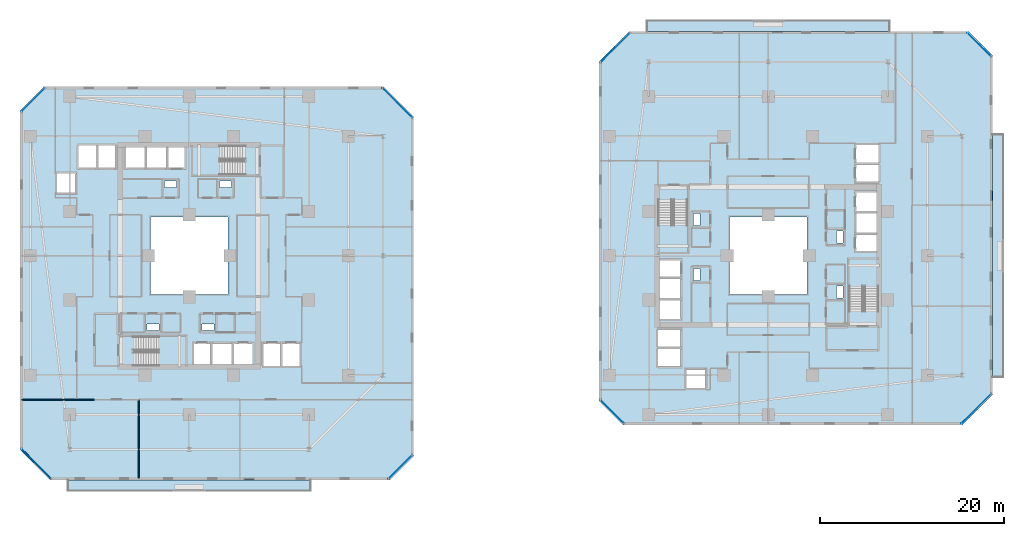
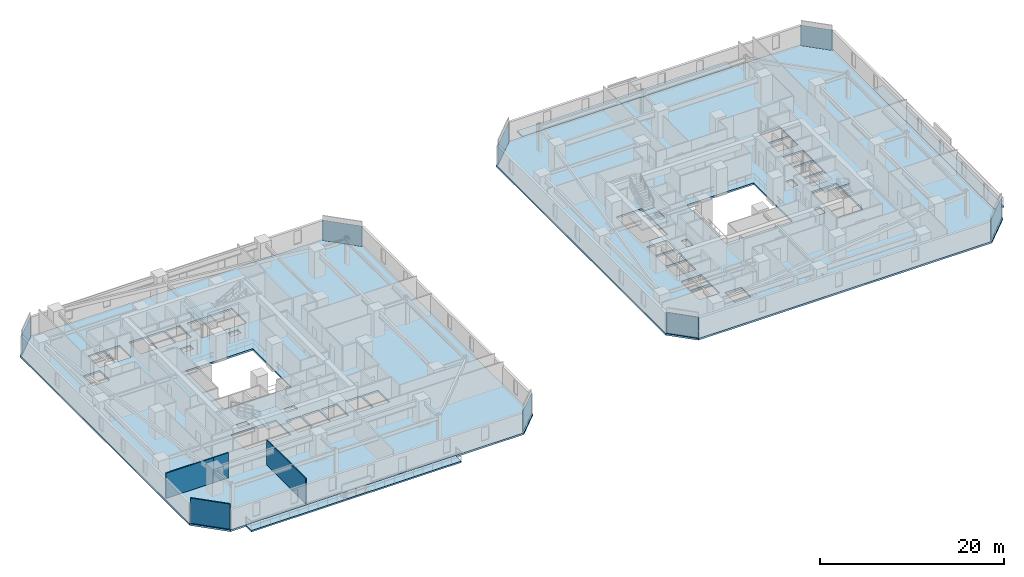
# One storey, part 19 of 34: 9 slabs, 8 plates, 4 walls, 12 elements without a shape of their own.
"""IFC4 building model written with IfcOpenShell, lengths in metres."""

from ifc_helpers import new_model, si_unit, direction, frame, frame_2d, origin, origin_2d, place, context, subcontext, project, spatial, polyline, rectangle, outline, extrude, material, layer, layer_set, type_object, element, aggregate, save


model = new_model("IFC4")

# Units and contexts
model_context = context("Model", 3, precision=1e-05, world=origin(), true_north=direction((0.0, 1.0)))
body_context = subcontext(model_context, "Body", "Model", "MODEL_VIEW")
ifc_project = project(units=[si_unit("LENGTHUNIT", "METRE"), si_unit("AREAUNIT", "SQUARE_METRE"), si_unit("VOLUMEUNIT", "CUBIC_METRE"), si_unit("PLANEANGLEUNIT", "RADIAN"), si_unit("MASSUNIT", "GRAM", prefix="KILO")], contexts=[model_context])

# Site, building, storey
site_placement = place(None, origin())
site = spatial("IfcSite", under=ifc_project, at=site_placement, CompositionType="ELEMENT")
building_placement = place(site_placement, origin())
building = spatial("IfcBuilding", under=site, at=building_placement, Name="Thornwick Lancets Civic Towers", CompositionType="ELEMENT")
storey_placement = place(building_placement, frame((0.0, 0.0, 60.89990234375)))
storey = spatial("IfcBuildingStorey", under=building, at=storey_placement, Name="L15", CompositionType="ELEMENT", Elevation=60.89990234375)

# Curtain wall, plate
ifc_material_1 = material(Name="Low-zone chamfered-corner unitised glass curtain wall", Category="glass")
curtain_wall_type = type_object("IfcCurtainWallType", Name="CW_SYS_03", PredefinedType="NOTDEFINED", material=ifc_material_1)
curtain_wall_1_placement = place(storey_placement, origin())
curtain_wall_1 = element("IfcCurtainWall", 1, at=curtain_wall_1_placement, inside=storey, type_object=curtain_wall_type, Name="L15 Curtain Wall CW-L15-A-E1", PredefinedType="NOTDEFINED")
ifc_material_2 = material(Name="Low-e double glazing clear glass", Category="glass")
ifc_layer_1 = layer(ifc_material_2, 0.035888671875, Name="Low-e double glazing clear glass")
ifc_layer_set_1 = layer_set([ifc_layer_1], Name="Low-e double glazing clear glass")
plate_type = type_object("IfcPlateType", Name="CW_PNL_GLASS", PredefinedType="CURTAIN_PANEL", material=ifc_layer_set_1)
plate_1_placement = place(storey_placement, frame((48.472900390625, 4.027099609375, 0.0), z_axis=(0.0, 0.0, 1.0), x_axis=(0.707106781187, 0.707106781187, 0.0)))
plate_1 = element("IfcPlate", 2, at=plate_1_placement, type_object=plate_type, Name="CW-L15-A-E1 Panel 0", PredefinedType="CURTAIN_PANEL", context=body_context, shape_type="SweptSolid", body=[
    extrude(rectangle(XDim=3.64990234375, YDim=0.035888671875, at=origin_2d()), origin(), (0.0, 0.0, 1.0), 2.699951171875),
])
aggregate(curtain_wall_1, [plate_1])

curtain_wall_2_placement = place(storey_placement, origin())
curtain_wall_2 = element("IfcCurtainWall", 3, at=curtain_wall_2_placement, inside=storey, type_object=curtain_wall_type, Name="L15 Curtain Wall CW-L15-A-E3", PredefinedType="NOTDEFINED")
plate_2_placement = place(storey_placement, frame((48.145751953125, 43.645751953125, 0.0), z_axis=(0.0, 0.0, 1.0), x_axis=(-0.707106781187, 0.707106781187, 0.0)))
plate_2 = element("IfcPlate", 4, at=plate_2_placement, type_object=plate_type, Name="CW-L15-A-E3 Panel 0", PredefinedType="CURTAIN_PANEL", context=body_context, shape_type="SweptSolid", body=[
    extrude(rectangle(XDim=4.569580078125, YDim=0.035888671875, at=origin_2d()), origin(), (0.0, 0.0, 1.0), 2.699951171875),
])
aggregate(curtain_wall_2, [plate_2])

curtain_wall_3_placement = place(storey_placement, origin())
curtain_wall_3 = element("IfcCurtainWall", 5, at=curtain_wall_3_placement, inside=storey, type_object=curtain_wall_type, Name="L15 Curtain Wall CW-L15-A-E5", PredefinedType="NOTDEFINED")
plate_3_placement = place(storey_placement, frame((8.527099609375, 43.972900390625, 0.0), z_axis=(0.0, 0.0, 1.0), x_axis=(-0.707106781187, -0.707106781187, 0.0)))
plate_3 = element("IfcPlate", 6, at=plate_3_placement, type_object=plate_type, Name="CW-L15-A-E5 Panel 0", PredefinedType="CURTAIN_PANEL", context=body_context, shape_type="SweptSolid", body=[
    extrude(rectangle(XDim=3.64990234375, YDim=0.035888671875, at=origin_2d()), origin(), (0.0, 0.0, 1.0), 2.699951171875),
])
aggregate(curtain_wall_3, [plate_3])

curtain_wall_4_placement = place(storey_placement, origin())
curtain_wall_4 = element("IfcCurtainWall", 7, at=curtain_wall_4_placement, inside=storey, type_object=curtain_wall_type, Name="L15 Curtain Wall CW-L15-A-E7", PredefinedType="NOTDEFINED")
plate_4_placement = place(storey_placement, frame((8.8544921875, 4.3544921875, 0.0), z_axis=(0.0, 0.0, 1.0), x_axis=(0.707106781187, -0.707106781187, 0.0)))
plate_4 = element("IfcPlate", 8, at=plate_4_placement, type_object=plate_type, Name="CW-L15-A-E7 Panel 0", PredefinedType="CURTAIN_PANEL", context=body_context, shape_type="SweptSolid", body=[
    extrude(rectangle(XDim=4.569580078125, YDim=0.035888671875, at=origin_2d()), origin(), (0.0, 0.0, 1.0), 2.699951171875),
])
aggregate(curtain_wall_4, [plate_4])

curtain_wall_5_placement = place(storey_placement, origin())
curtain_wall_5 = element("IfcCurtainWall", 9, at=curtain_wall_5_placement, inside=storey, type_object=curtain_wall_type, Name="L15 Curtain Wall CW-L15-B-E1", PredefinedType="NOTDEFINED")
plate_5_placement = place(storey_placement, frame((111.1455078125, 10.3544921875, 0.0), z_axis=(0.0, 0.0, 1.0), x_axis=(0.707106781187, 0.707106781187, 0.0)))
plate_5 = element("IfcPlate", 10, at=plate_5_placement, type_object=plate_type, Name="CW-L15-B-E1 Panel 0", PredefinedType="CURTAIN_PANEL", context=body_context, shape_type="SweptSolid", body=[
    extrude(rectangle(XDim=4.569580078125, YDim=0.035888671875, at=origin_2d()), origin(), (0.0, 0.0, 1.0), 2.699951171875),
])
aggregate(curtain_wall_5, [plate_5])

curtain_wall_6_placement = place(storey_placement, origin())
curtain_wall_6 = element("IfcCurtainWall", 11, at=curtain_wall_6_placement, inside=storey, type_object=curtain_wall_type, Name="L15 Curtain Wall CW-L15-B-E3", PredefinedType="NOTDEFINED")
plate_6_placement = place(storey_placement, frame((111.472900390625, 49.972900390625, 0.0), z_axis=(0.0, 0.0, 1.0), x_axis=(-0.707106781187, 0.707106781187, 0.0)))
plate_6 = element("IfcPlate", 12, at=plate_6_placement, type_object=plate_type, Name="CW-L15-B-E3 Panel 0", PredefinedType="CURTAIN_PANEL", context=body_context, shape_type="SweptSolid", body=[
    extrude(rectangle(XDim=3.64990234375, YDim=0.035888671875, at=origin_2d()), origin(), (0.0, 0.0, 1.0), 2.699951171875),
])
aggregate(curtain_wall_6, [plate_6])

curtain_wall_7_placement = place(storey_placement, origin())
curtain_wall_7 = element("IfcCurtainWall", 13, at=curtain_wall_7_placement, inside=storey, type_object=curtain_wall_type, Name="L15 Curtain Wall CW-L15-B-E5", PredefinedType="NOTDEFINED")
plate_7_placement = place(storey_placement, frame((71.8544921875, 49.645751953125, 0.0), z_axis=(0.0, 0.0, 1.0), x_axis=(-0.707106781187, -0.707106781187, 0.0)))
plate_7 = element("IfcPlate", 14, at=plate_7_placement, type_object=plate_type, Name="CW-L15-B-E5 Panel 0", PredefinedType="CURTAIN_PANEL", context=body_context, shape_type="SweptSolid", body=[
    extrude(rectangle(XDim=4.569580078125, YDim=0.035888671875, at=origin_2d()), origin(), (0.0, 0.0, 1.0), 2.699951171875),
])
aggregate(curtain_wall_7, [plate_7])

curtain_wall_8_placement = place(storey_placement, origin())
curtain_wall_8 = element("IfcCurtainWall", 15, at=curtain_wall_8_placement, inside=storey, type_object=curtain_wall_type, Name="L15 Curtain Wall CW-L15-B-E7", PredefinedType="NOTDEFINED")
plate_8_placement = place(storey_placement, frame((71.527099609375, 10.027099609375, 0.0), z_axis=(0.0, 0.0, 1.0), x_axis=(0.707106781187, -0.707106781187, 0.0)))
plate_8 = element("IfcPlate", 16, at=plate_8_placement, type_object=plate_type, Name="CW-L15-B-E7 Panel 0", PredefinedType="CURTAIN_PANEL", context=body_context, shape_type="SweptSolid", body=[
    extrude(rectangle(XDim=3.64990234375, YDim=0.035888671875, at=origin_2d()), origin(), (0.0, 0.0, 1.0), 2.699951171875),
])
aggregate(curtain_wall_8, [plate_8])

# Slabs
ifc_material_3 = material(Name="Post-tensioned concrete C40/50", Category="concrete")
ifc_layer_2 = layer(ifc_material_3, 0.199951171875, Name="Post-tensioned concrete C40/50")
ifc_layer_set_2 = layer_set([ifc_layer_2], Name="Post-tensioned concrete C40/50")
slab_type_1 = type_object("IfcSlabType", Name="SLAB_BALCONY_200", PredefinedType="FLOOR", material=ifc_layer_set_2)
slab_1_placement = place(storey_placement, frame((0.0, 0.0, -0.199951171875)))
element("IfcSlab", 17, at=slab_1_placement, inside=storey, type_object=slab_type_1, Name="L15 Tower A Planted Balcony Slab S", PredefinedType="FLOOR", context=body_context, shape_type="SweptSolid", body=[
    extrude(outline(polyline([(12.300048828125, 1.35009765625), (38.699951171875, 1.35009765625), (38.699951171875, 2.60009765625), (12.300048828125, 2.60009765625), (12.300048828125, 1.35009765625)])), origin(), (0.0, 0.0, 1.0), 0.199951171875),
])
slab_2_placement = place(storey_placement, frame((0.0, 0.0, -0.199951171875)))
element("IfcSlab", 18, at=slab_2_placement, inside=storey, type_object=slab_type_1, Name="L15 Tower B Planted Balcony Slab E", PredefinedType="FLOOR", context=body_context, shape_type="SweptSolid", body=[
    extrude(outline(polyline([(112.89990234375, 13.800048828125), (114.14990234375, 13.800048828125), (114.14990234375, 40.199951171875), (112.89990234375, 40.199951171875), (112.89990234375, 13.800048828125)])), origin(), (0.0, 0.0, 1.0), 0.199951171875),
])
slab_3_placement = place(storey_placement, frame((0.0, 0.0, -0.199951171875)))
element("IfcSlab", 19, at=slab_3_placement, inside=storey, type_object=slab_type_1, Name="L15 Tower B Planted Balcony Slab N", PredefinedType="FLOOR", context=body_context, shape_type="SweptSolid", body=[
    extrude(outline(polyline([(75.300048828125, 51.39990234375), (101.699951171875, 51.39990234375), (101.699951171875, 52.64990234375), (75.300048828125, 52.64990234375), (75.300048828125, 51.39990234375)])), origin(), (0.0, 0.0, 1.0), 0.199951171875),
])

# Stair, slab
ifc_material_4 = material(Name="Concrete C40/50", Category="concrete")
stair_type = type_object("IfcStairType", Name="STAIR_DL_3600", PredefinedType="HALF_TURN_STAIR", material=ifc_material_4)
stair_1_placement = place(storey_placement, origin())
stair_1 = element("IfcStair", 20, at=stair_1_placement, inside=storey, type_object=stair_type, Name="L15 Tower A South Exit Stair ST-A1", PredefinedType="HALF_TURN_STAIR")
ifc_layer_3 = layer(ifc_material_4, 0.25, Name="Concrete C40/50")
ifc_layer_set_3 = layer_set([ifc_layer_3], Name="Concrete C40/50")
slab_type_2 = type_object("IfcSlabType", Name="SLAB_LANDING_200", PredefinedType="LANDING", material=ifc_layer_set_3)
slab_4_placement = place(storey_placement, frame((0.0, 0.0, 1.60302734375)))
slab_4 = element("IfcSlab", 21, at=slab_4_placement, type_object=slab_type_2, Name="ST-A1 landing 1", PredefinedType="LANDING", context=body_context, shape_type="SweptSolid", body=[
    extrude(outline(polyline([(22.169921875, 14.93994140625), (25.14990234375, 14.93994140625), (25.14990234375, 18.260009765625), (22.169921875, 18.260009765625), (22.169921875, 14.93994140625)])), origin(), (0.0, 0.0, 1.0), 0.199951171875),
])
aggregate(stair_1, [slab_4])

stair_2_placement = place(storey_placement, origin())
stair_2 = element("IfcStair", 22, at=stair_2_placement, inside=storey, type_object=stair_type, Name="L15 Tower A North Exit Stair ST-A2", PredefinedType="HALF_TURN_STAIR")
slab_5_placement = place(storey_placement, frame((0.0, 0.0, 1.60302734375)))
slab_5 = element("IfcSlab", 23, at=slab_5_placement, type_object=slab_type_2, Name="ST-A2 landing 1", PredefinedType="LANDING", context=body_context, shape_type="SweptSolid", body=[
    extrude(outline(polyline([(28.830078125, 39.06005859375), (25.85009765625, 39.06005859375), (25.85009765625, 35.739990234375), (28.830078125, 35.739990234375), (28.830078125, 39.06005859375)])), origin(), (0.0, 0.0, 1.0), 0.199951171875),
])
aggregate(stair_2, [slab_5])

stair_3_placement = place(storey_placement, origin())
stair_3 = element("IfcStair", 24, at=stair_3_placement, inside=storey, type_object=stair_type, Name="L15 Tower B East Exit Stair ST-B1", PredefinedType="HALF_TURN_STAIR")
slab_6_placement = place(storey_placement, frame((0.0, 0.0, 1.60302734375)))
slab_6 = element("IfcSlab", 25, at=slab_6_placement, type_object=slab_type_2, Name="ST-B1 landing 1", PredefinedType="LANDING", context=body_context, shape_type="SweptSolid", body=[
    extrude(outline(polyline([(100.56005859375, 23.669921875), (100.56005859375, 26.64990234375), (97.239990234375, 26.64990234375), (97.239990234375, 23.669921875), (100.56005859375, 23.669921875)])), origin(), (0.0, 0.0, 1.0), 0.199951171875),
])
aggregate(stair_3, [slab_6])

stair_4_placement = place(storey_placement, origin())
stair_4 = element("IfcStair", 26, at=stair_4_placement, inside=storey, type_object=stair_type, Name="L15 Tower B West Exit Stair ST-B2", PredefinedType="HALF_TURN_STAIR")
slab_7_placement = place(storey_placement, frame((0.0, 0.0, 1.60302734375)))
slab_7 = element("IfcSlab", 27, at=slab_7_placement, type_object=slab_type_2, Name="ST-B2 landing 1", PredefinedType="LANDING", context=body_context, shape_type="SweptSolid", body=[
    extrude(outline(polyline([(76.43994140625, 30.330078125), (76.43994140625, 27.35009765625), (79.760009765625, 27.35009765625), (79.760009765625, 30.330078125), (76.43994140625, 30.330078125)])), origin(), (0.0, 0.0, 1.0), 0.199951171875),
])
aggregate(stair_4, [slab_7])

# Slabs
ifc_layer_4 = layer(ifc_material_3, 0.239990234375, Name="Post-tensioned concrete C40/50")
ifc_layer_set_4 = layer_set([ifc_layer_4], Name="Post-tensioned concrete C40/50")
slab_type_3 = type_object("IfcSlabType", Name="SLAB_PT_240", PredefinedType="FLOOR", material=ifc_layer_set_4)
slab_8_placement = place(storey_placement, frame((0.0, 0.0, -0.239990234375)))
element("IfcSlab", 28, at=slab_8_placement, inside=storey, type_object=slab_type_3, Name="L15 Tower A Floor Slab", PredefinedType="FLOOR", context=body_context, shape_type="SweptSolid", body=[
    extrude(outline(polyline([(10.35498046875, 2.60009765625), (47.300048828125, 2.60009765625), (49.89990234375, 5.199951171875), (49.89990234375, 42.14501953125), (46.64501953125, 45.39990234375), (9.699951171875, 45.39990234375), (7.10009765625, 42.800048828125), (7.10009765625, 5.85498046875), (10.35498046875, 2.60009765625)]), holes=[polyline([(21.300048828125, 22.800048828125), (29.699951171875, 22.800048828125), (29.699951171875, 31.199951171875), (21.300048828125, 31.199951171875), (21.300048828125, 22.800048828125)]), polyline([(19.429931640625, 15.0), (25.10009765625, 15.0), (25.10009765625, 18.199951171875), (19.429931640625, 18.199951171875), (19.429931640625, 15.0)]), polyline([(31.570068359375, 39.0), (25.89990234375, 39.0), (25.89990234375, 35.800048828125), (31.570068359375, 35.800048828125), (31.570068359375, 39.0)]), polyline([(26.0, 15.0), (27.800048828125, 15.0), (27.800048828125, 17.550048828125), (26.0, 17.550048828125), (26.0, 15.0)]), polyline([(28.0, 15.0), (30.14990234375, 15.0), (30.14990234375, 17.550048828125), (28.0, 17.550048828125), (28.0, 15.0)]), polyline([(30.35009765625, 15.0), (32.39990234375, 15.0), (32.39990234375, 17.550048828125), (30.35009765625, 17.550048828125), (30.35009765625, 15.0)]), polyline([(33.550048828125, 15.0), (35.449951171875, 15.0), (35.449951171875, 17.550048828125), (33.550048828125, 17.550048828125), (33.550048828125, 15.0)]), polyline([(35.60009765625, 15.0), (37.550048828125, 15.0), (37.550048828125, 17.550048828125), (35.60009765625, 17.550048828125), (35.60009765625, 15.0)]), polyline([(23.199951171875, 36.449951171875), (25.0, 36.449951171875), (25.0, 39.0), (23.199951171875, 39.0), (23.199951171875, 36.449951171875)]), polyline([(20.85009765625, 36.449951171875), (23.0, 36.449951171875), (23.0, 39.0), (20.85009765625, 39.0), (20.85009765625, 36.449951171875)]), polyline([(18.60009765625, 36.449951171875), (20.699951171875, 36.449951171875), (20.699951171875, 39.0), (18.60009765625, 39.0), (18.60009765625, 36.449951171875)]), polyline([(15.550048828125, 36.449951171875), (17.449951171875, 36.449951171875), (17.449951171875, 39.0), (15.550048828125, 39.0), (15.550048828125, 36.449951171875)]), polyline([(13.449951171875, 36.449951171875), (15.39990234375, 36.449951171875), (15.39990234375, 39.0), (13.449951171875, 39.0), (13.449951171875, 36.449951171875)]), polyline([(11.10009765625, 33.85009765625), (13.199951171875, 33.85009765625), (13.199951171875, 35.949951171875), (11.10009765625, 35.949951171875), (11.10009765625, 33.85009765625)]), polyline([(26.89990234375, 18.85009765625), (28.199951171875, 18.85009765625), (28.199951171875, 19.580078125), (26.89990234375, 19.580078125), (26.89990234375, 18.85009765625)]), polyline([(20.89990234375, 18.85009765625), (22.199951171875, 18.85009765625), (22.199951171875, 19.580078125), (20.89990234375, 19.580078125), (20.89990234375, 18.85009765625)]), polyline([(22.800048828125, 34.419921875), (24.10009765625, 34.419921875), (24.10009765625, 35.14990234375), (22.800048828125, 35.14990234375), (22.800048828125, 34.419921875)]), polyline([(28.800048828125, 34.419921875), (30.10009765625, 34.419921875), (30.10009765625, 35.14990234375), (28.800048828125, 35.14990234375), (28.800048828125, 34.419921875)])]), origin(), (0.0, 0.0, 1.0), 0.239990234375),
])
slab_9_placement = place(storey_placement, frame((0.0, 0.0, -0.239990234375)))
element("IfcSlab", 29, at=slab_9_placement, inside=storey, type_object=slab_type_3, Name="L15 Tower B Floor Slab", PredefinedType="FLOOR", context=body_context, shape_type="SweptSolid", body=[
    extrude(outline(polyline([(72.699951171875, 8.60009765625), (109.64501953125, 8.60009765625), (112.89990234375, 11.85498046875), (112.89990234375, 48.800048828125), (110.300048828125, 51.39990234375), (73.35498046875, 51.39990234375), (70.10009765625, 48.14501953125), (70.10009765625, 11.199951171875), (72.699951171875, 8.60009765625)]), holes=[polyline([(84.300048828125, 22.800048828125), (92.699951171875, 22.800048828125), (92.699951171875, 31.199951171875), (84.300048828125, 31.199951171875), (84.300048828125, 22.800048828125)]), polyline([(100.5, 20.929931640625), (100.5, 26.60009765625), (97.300048828125, 26.60009765625), (97.300048828125, 20.929931640625), (100.5, 20.929931640625)]), polyline([(76.5, 33.070068359375), (76.5, 27.39990234375), (79.699951171875, 27.39990234375), (79.699951171875, 33.070068359375), (76.5, 33.070068359375)]), polyline([(97.949951171875, 27.5), (100.5, 27.5), (100.5, 29.300048828125), (97.949951171875, 29.300048828125), (97.949951171875, 27.5)]), polyline([(97.949951171875, 29.5), (100.5, 29.5), (100.5, 31.64990234375), (97.949951171875, 31.64990234375), (97.949951171875, 29.5)]), polyline([(97.949951171875, 31.85009765625), (100.5, 31.85009765625), (100.5, 33.89990234375), (97.949951171875, 33.89990234375), (97.949951171875, 31.85009765625)]), polyline([(97.949951171875, 35.050048828125), (100.5, 35.050048828125), (100.5, 36.949951171875), (97.949951171875, 36.949951171875), (97.949951171875, 35.050048828125)]), polyline([(97.949951171875, 37.10009765625), (100.5, 37.10009765625), (100.5, 39.050048828125), (97.949951171875, 39.050048828125), (97.949951171875, 37.10009765625)]), polyline([(76.5, 24.699951171875), (79.050048828125, 24.699951171875), (79.050048828125, 26.5), (76.5, 26.5), (76.5, 24.699951171875)]), polyline([(76.5, 22.35009765625), (79.050048828125, 22.35009765625), (79.050048828125, 24.5), (76.5, 24.5), (76.5, 22.35009765625)]), polyline([(76.5, 20.10009765625), (79.050048828125, 20.10009765625), (79.050048828125, 22.199951171875), (76.5, 22.199951171875), (76.5, 20.10009765625)]), polyline([(76.5, 17.050048828125), (79.050048828125, 17.050048828125), (79.050048828125, 18.949951171875), (76.5, 18.949951171875), (76.5, 17.050048828125)]), polyline([(76.5, 14.949951171875), (79.050048828125, 14.949951171875), (79.050048828125, 16.89990234375), (76.5, 16.89990234375), (76.5, 14.949951171875)]), polyline([(79.550048828125, 12.60009765625), (81.64990234375, 12.60009765625), (81.64990234375, 14.699951171875), (79.550048828125, 14.699951171875), (79.550048828125, 12.60009765625)]), polyline([(95.919921875, 28.39990234375), (96.64990234375, 28.39990234375), (96.64990234375, 29.699951171875), (95.919921875, 29.699951171875), (95.919921875, 28.39990234375)]), polyline([(95.919921875, 22.39990234375), (96.64990234375, 22.39990234375), (96.64990234375, 23.699951171875), (95.919921875, 23.699951171875), (95.919921875, 22.39990234375)]), polyline([(80.35009765625, 24.300048828125), (81.080078125, 24.300048828125), (81.080078125, 25.60009765625), (80.35009765625, 25.60009765625), (80.35009765625, 24.300048828125)]), polyline([(80.35009765625, 30.300048828125), (81.080078125, 30.300048828125), (81.080078125, 31.60009765625), (80.35009765625, 31.60009765625), (80.35009765625, 30.300048828125)])]), origin(), (0.0, 0.0, 1.0), 0.239990234375),
])

# Walls
ifc_material_5 = material(Name="Acoustic gypsum board partition")
ifc_layer_5 = layer(ifc_material_5, 0.1201171875, Name="Acoustic gypsum board partition")
ifc_layer_set_5 = layer_set([ifc_layer_5], Name="Acoustic gypsum board partition")
wall_type = type_object("IfcWallType", Name="WALL_PART_120", PredefinedType="PARTITIONING", material=ifc_layer_set_5)
wall_1_placement = place(storey_placement, frame((13.25, 11.35009765625, 0.0), z_axis=(0.0, 0.0, 1.0), x_axis=(-1.0, 0.0, 0.0)))
element("IfcWall", 30, at=wall_1_placement, inside=storey, type_object=wall_type, Name="L15 Partition L15-A-W1 E5", PredefinedType="PARTITIONING", context=body_context, shape_type="SweptSolid", body=[
    extrude(rectangle(XDim=5.969970703125, YDim=0.1201171875, at=frame_2d((2.98486328125, 0.0))), origin(), (0.0, 0.0, 1.0), 3.340087890625),
])
wall_2_placement = place(storey_placement, frame((13.25, 11.35009765625, 0.0), z_axis=(0.0, 0.0, 1.0), x_axis=(1.0, 0.0, 0.0)))
element("IfcWall", 31, at=wall_2_placement, inside=storey, type_object=wall_type, Name="L15 Partition L15-A-S-OFF1 E1", PredefinedType="PARTITIONING", context=body_context, shape_type="SweptSolid", body=[
    extrude(rectangle(XDim=1.89990234375, YDim=0.1201171875, at=frame_2d((0.949951171875, 0.0))), origin(), (0.0, 0.0, 1.0), 3.340087890625),
])
wall_3_placement = place(storey_placement, frame((20.0, 11.35009765625, 0.0), z_axis=(0.0, 0.0, 1.0), x_axis=(0.0, -1.0, 0.0)))
element("IfcWall", 32, at=wall_3_placement, inside=storey, type_object=wall_type, Name="L15 Partition L15-A-S-OFF1 E3", PredefinedType="PARTITIONING", context=body_context, shape_type="SweptSolid", body=[
    extrude(rectangle(XDim=8.570068359375, YDim=0.1201171875, at=frame_2d((4.28515625, 0.0))), origin(), (0.0, 0.0, 1.0), 3.340087890625),
])
wall_4_placement = place(storey_placement, frame((10.4296875, 2.780029296875, 0.0), z_axis=(0.0, 0.0, 1.0), x_axis=(-0.707106781187, 0.707106781187, 0.0)))
element("IfcWall", 33, at=wall_4_placement, inside=storey, type_object=wall_type, Name="L15 Partition L15-A-S-OFF1 E5", PredefinedType="PARTITIONING", context=body_context, shape_type="SweptSolid", body=[
    extrude(rectangle(XDim=4.454345703125, YDim=0.1201171875, at=frame_2d((2.22705078125, 0.0))), origin(), (0.0, 0.0, 1.0), 3.340087890625),
])

save(model, "model.ifc")
